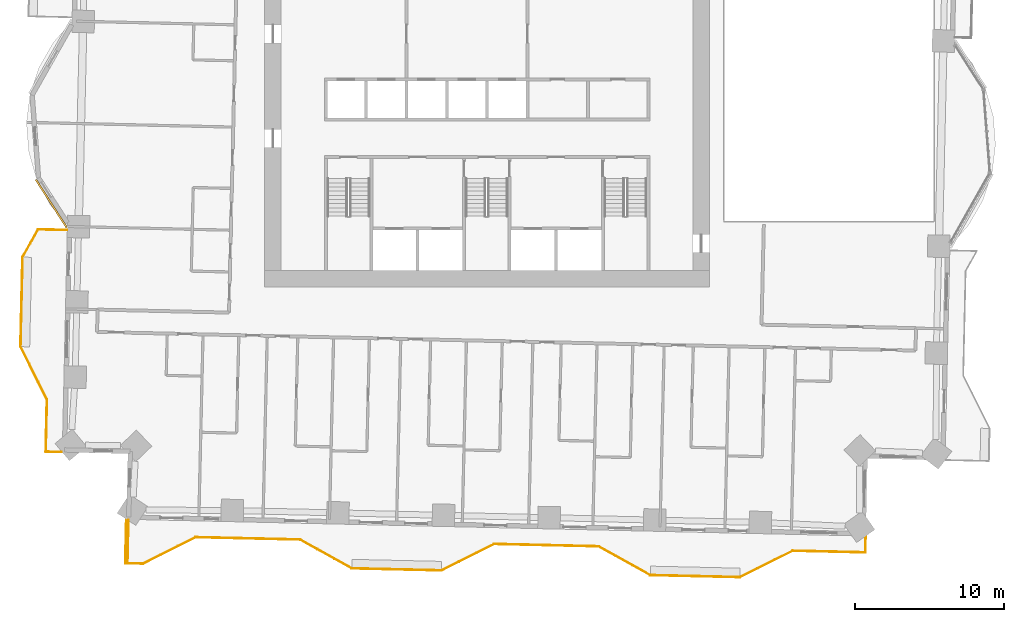
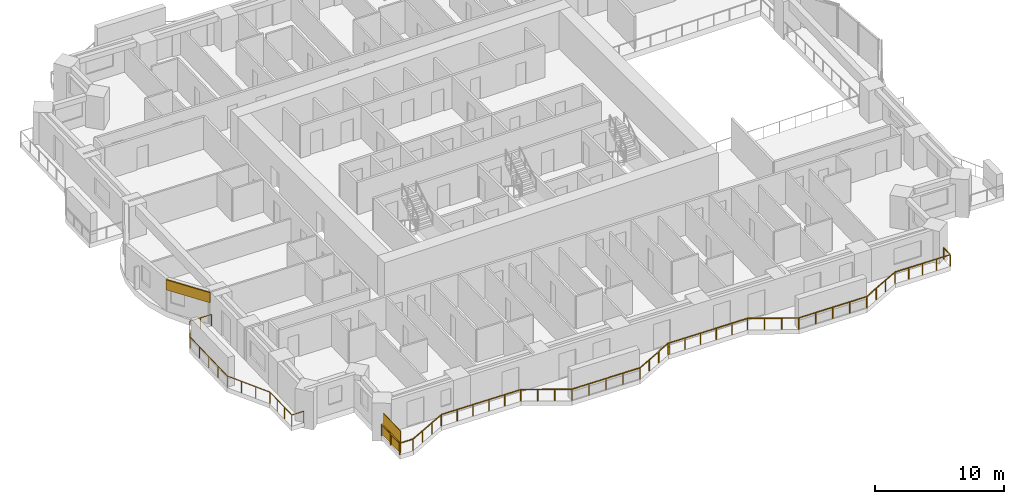
# One storey, part 14 of 18: 2 railings, 1 covering, 1 shading device.
"""IFC4 building model written with IfcOpenShell, lengths in metres."""

from ifc_helpers import new_model, si_unit, direction, frame, frame_2d, origin, origin_2d, place, context, subcontext, project, spatial, rectangle, extrude, material, layer, layer_set, type_object, element, save


model = new_model("IFC4")

# Units and contexts
model_context = context("Model", 3, precision=1e-05, world=origin(), true_north=direction((0.0, 1.0)))
body_context = subcontext(model_context, "Body", "Model", "MODEL_VIEW")
ifc_project = project(units=[si_unit("LENGTHUNIT", "METRE"), si_unit("AREAUNIT", "SQUARE_METRE"), si_unit("VOLUMEUNIT", "CUBIC_METRE"), si_unit("PLANEANGLEUNIT", "RADIAN"), si_unit("MASSUNIT", "GRAM", prefix="KILO")], contexts=[model_context])

# Site, building, storey
site_placement = place(None, origin())
site = spatial("IfcSite", under=ifc_project, at=site_placement, CompositionType="ELEMENT")
building_placement = place(site_placement, origin())
building = spatial("IfcBuilding", under=site, at=building_placement, Name="Mangrove Gate Tower", CompositionType="ELEMENT")
storey_placement = place(building_placement, frame((0.0, 0.0, 56.699951171875)))
storey = spatial("IfcBuildingStorey", under=building, at=storey_placement, Name="L13", CompositionType="ELEMENT", Elevation=56.699951171875)

# Railings
ifc_material_1 = material(Name="Stainless steel grade 316 with laminated glass infill", Category="steel")
railing_type = type_object("IfcRailingType", Name="Balcony guard 1100", PredefinedType="GUARDRAIL", material=ifc_material_1)
railing_1_placement = place(storey_placement, frame((-28.162109375, -8.10205078125, 0.0)))
element("IfcRailing", 1, at=railing_1_placement, inside=storey, type_object=railing_type, Name="GUARD L13 W2", PredefinedType="GUARDRAIL", context=body_context, shape_type="SweptSolid", body=[
    extrude(rectangle(XDim=0.048095703125, YDim=0.048095703125, at=origin_2d()), frame((0.0, 0.0, 1.076171875), z_axis=(-0.999737880615, 0.022894760625, 0.0), x_axis=(-0.022894760625, -0.999737880615, 0.0)), (0.0, 0.0, 1.0), 1.91943359375),
    extrude(rectangle(XDim=0.048095703125, YDim=0.048095703125, at=origin_2d()), frame((-1.9189453125, 0.0439453125, 1.076171875), z_axis=(-0.487147690962, -0.873319601973, 0.0), x_axis=(0.873319601973, -0.487147690962, 0.0)), (0.0, 0.0, 1.0), 2.120361328125),
    extrude(rectangle(XDim=0.048095703125, YDim=0.048095703125, at=origin_2d()), frame((-2.951904296875, -1.807861328125, 1.076171875), z_axis=(-0.022665943652, -0.999743094499, 0.0), x_axis=(0.999743094499, -0.022665943652, 0.0)), (0.0, 0.0, 1.0), 5.99951171875),
    extrude(rectangle(XDim=0.048095703125, YDim=0.048095703125, at=origin_2d()), frame((-3.087890625, -7.805908203125, 1.076171875), z_axis=(0.447016280881, -0.894525821107, 0.0), x_axis=(0.894525821107, 0.447016280881, 0.0)), (0.0, 0.0, 1.0), 3.959716796875),
    extrude(rectangle(XDim=0.048095703125, YDim=0.048095703125, at=origin_2d()), frame((-1.31787109375, -11.347900390625, 1.076171875), z_axis=(-0.022600979566, -0.999744565238, 0.0), x_axis=(0.999744565238, -0.022600979566, 0.0)), (0.0, 0.0, 1.0), 3.5),
    extrude(rectangle(XDim=0.048095703125, YDim=0.048095703125, at=origin_2d()), frame((-1.39697265625, -14.846923828125, 1.076171875), z_axis=(0.999744919731, -0.022585293253, 0.0), x_axis=(0.022585293253, 0.999744919731, 0.0)), (0.0, 0.0, 1.0), 1.059326171875),
    extrude(rectangle(XDim=0.0419921875, YDim=0.0419921875, at=origin_2d()), origin(), (0.0, 0.0, 1.0), 1.052001953125),
    extrude(rectangle(XDim=0.0419921875, YDim=0.0419921875, at=origin_2d()), frame((-0.95947265625, 0.02197265625, 0.0)), (0.0, 0.0, 1.0), 1.052001953125),
    extrude(rectangle(XDim=0.0419921875, YDim=0.0419921875, at=origin_2d()), frame((-1.9189453125, 0.0439453125, 0.0)), (0.0, 0.0, 1.0), 1.052001953125),
    extrude(rectangle(XDim=0.0419921875, YDim=0.0419921875, at=origin_2d()), frame((-2.435546875, -0.8818359375, 0.0)), (0.0, 0.0, 1.0), 1.052001953125),
    extrude(rectangle(XDim=0.0419921875, YDim=0.0419921875, at=origin_2d()), frame((-2.951904296875, -1.807861328125, 0.0)), (0.0, 0.0, 1.0), 1.052001953125),
    extrude(rectangle(XDim=0.0419921875, YDim=0.0419921875, at=origin_2d()), frame((-2.98583984375, -3.307373046875, 0.0)), (0.0, 0.0, 1.0), 1.052001953125),
    extrude(rectangle(XDim=0.0419921875, YDim=0.0419921875, at=origin_2d()), frame((-3.02001953125, -4.806884765625, 0.0)), (0.0, 0.0, 1.0), 1.052001953125),
    extrude(rectangle(XDim=0.0419921875, YDim=0.0419921875, at=origin_2d()), frame((-3.053955078125, -6.306396484375, 0.0)), (0.0, 0.0, 1.0), 1.052001953125),
    extrude(rectangle(XDim=0.0419921875, YDim=0.0419921875, at=origin_2d()), frame((-3.087890625, -7.805908203125, 0.0)), (0.0, 0.0, 1.0), 1.052001953125),
    extrude(rectangle(XDim=0.0419921875, YDim=0.0419921875, at=origin_2d()), frame((-2.497802734375, -8.986572265625, 0.0)), (0.0, 0.0, 1.0), 1.052001953125),
    extrude(rectangle(XDim=0.0419921875, YDim=0.0419921875, at=origin_2d()), frame((-1.907958984375, -10.167236328125, 0.0)), (0.0, 0.0, 1.0), 1.052001953125),
    extrude(rectangle(XDim=0.0419921875, YDim=0.0419921875, at=origin_2d()), frame((-1.31787109375, -11.347900390625, 0.0)), (0.0, 0.0, 1.0), 1.052001953125),
    extrude(rectangle(XDim=0.0419921875, YDim=0.0419921875, at=origin_2d()), frame((-1.34423828125, -12.51416015625, 0.0)), (0.0, 0.0, 1.0), 1.052001953125),
    extrude(rectangle(XDim=0.0419921875, YDim=0.0419921875, at=origin_2d()), frame((-1.37060546875, -13.6806640625, 0.0)), (0.0, 0.0, 1.0), 1.052001953125),
    extrude(rectangle(XDim=0.0419921875, YDim=0.0419921875, at=origin_2d()), frame((-1.39697265625, -14.846923828125, 0.0)), (0.0, 0.0, 1.0), 1.052001953125),
    extrude(rectangle(XDim=0.0419921875, YDim=0.0419921875, at=origin_2d()), frame((-0.337890625, -14.870849609375, 0.0)), (0.0, 0.0, 1.0), 1.052001953125),
])
railing_2_placement = place(storey_placement, frame((-24.160888671875, -27.511962890625, 0.0)))
element("IfcRailing", 2, at=railing_2_placement, inside=storey, type_object=railing_type, Name="GUARD L13 S1", PredefinedType="GUARDRAIL", context=body_context, shape_type="SweptSolid", body=[
    extrude(rectangle(XDim=0.048095703125, YDim=0.048095703125, at=origin_2d()), frame((0.0, 0.0, 1.076171875), z_axis=(-0.022738559105, -0.99974144554, 0.0), x_axis=(0.99974144554, -0.022738559105, 0.0)), (0.0, 0.0, 1.0), 2.90966796875),
    extrude(rectangle(XDim=0.048095703125, YDim=0.048095703125, at=origin_2d()), frame((-0.066162109375, -2.908935546875, 1.076171875), z_axis=(0.999730483991, -0.023215498687, 0.0), x_axis=(0.023215498687, 0.999730483991, 0.0)), (0.0, 0.0, 1.0), 1.167236328125),
    extrude(rectangle(XDim=0.048095703125, YDim=0.048095703125, at=origin_2d()), frame((1.100830078125, -2.93603515625, 1.076171875), z_axis=(0.894476522376, 0.447114919141, 0.0), x_axis=(-0.447114919141, 0.894476522376, 0.0)), (0.0, 0.0, 1.0), 3.958740234375),
    extrude(rectangle(XDim=0.048095703125, YDim=0.048095703125, at=origin_2d()), frame((4.641845703125, -1.166015625, 1.076171875), z_axis=(0.999742267452, -0.022702393474, 0.0), x_axis=(0.022702393474, 0.999742267452, 0.0)), (0.0, 0.0, 1.0), 7.000732421875),
    extrude(rectangle(XDim=0.048095703125, YDim=0.048095703125, at=origin_2d()), frame((11.640869140625, -1.324951171875, 1.076171875), z_axis=(0.873230657876, -0.487307108654, 0.0), x_axis=(0.487307108654, 0.873230657876, 0.0)), (0.0, 0.0, 1.0), 3.958984375),
    extrude(rectangle(XDim=0.048095703125, YDim=0.048095703125, at=origin_2d()), frame((15.097900390625, -3.254150390625, 1.076171875), z_axis=(0.999743094499, -0.022665943652, 0.0), x_axis=(0.022665943652, 0.999743094499, 0.0)), (0.0, 0.0, 1.0), 5.99951171875),
    extrude(rectangle(XDim=0.048095703125, YDim=0.048095703125, at=origin_2d()), frame((21.095947265625, -3.39013671875, 1.076171875), z_axis=(0.894476522376, 0.447114919141, 0.0), x_axis=(-0.447114919141, 0.894476522376, 0.0)), (0.0, 0.0, 1.0), 3.958740234375),
    extrude(rectangle(XDim=0.048095703125, YDim=0.048095703125, at=origin_2d()), frame((24.636962890625, -1.6201171875, 1.076171875), z_axis=(0.999808759986, -0.019556161565, 0.0), x_axis=(0.019556161565, 0.999808759986, 0.0)), (0.0, 0.0, 1.0), 0.099853515625),
    extrude(rectangle(XDim=0.048095703125, YDim=0.048095703125, at=origin_2d()), frame((24.73681640625, -1.6220703125, 1.076171875), z_axis=(0.999744440732, -0.022606486345, 0.0), x_axis=(0.022606486345, 0.999744440732, 0.0)), (0.0, 0.0, 1.0), 6.90087890625),
    extrude(rectangle(XDim=0.048095703125, YDim=0.048095703125, at=origin_2d()), frame((31.635986328125, -1.778076171875, 1.076171875), z_axis=(0.873242256246, -0.487286324359, 0.0), x_axis=(0.487286324359, 0.873242256246, 0.0)), (0.0, 0.0, 1.0), 3.95849609375),
    extrude(rectangle(XDim=0.048095703125, YDim=0.048095703125, at=origin_2d()), frame((35.0927734375, -3.70703125, 1.076171875), z_axis=(0.999743094499, -0.022665943652, 0.0), x_axis=(0.022665943652, 0.999743094499, 0.0)), (0.0, 0.0, 1.0), 5.99951171875),
    extrude(rectangle(XDim=0.048095703125, YDim=0.048095703125, at=origin_2d()), frame((41.0908203125, -3.843017578125, 1.076171875), z_axis=(0.894476522376, 0.447114919141, 0.0), x_axis=(-0.447114919141, 0.894476522376, 0.0)), (0.0, 0.0, 1.0), 3.958740234375),
    extrude(rectangle(XDim=0.048095703125, YDim=0.048095703125, at=origin_2d()), frame((44.6318359375, -2.072998046875, 1.076171875), z_axis=(0.99973963016, -0.022818235853, 0.0), x_axis=(0.022818235853, 0.99973963016, 0.0)), (0.0, 0.0, 1.0), 4.8681640625),
    extrude(rectangle(XDim=0.048095703125, YDim=0.048095703125, at=origin_2d()), frame((49.498779296875, -2.18408203125, 1.076171875), z_axis=(0.022794628443, 0.999740168701, 0.0), x_axis=(-0.999740168701, 0.022794628443, 0.0)), (0.0, 0.0, 1.0), 1.060302734375),
    extrude(rectangle(XDim=0.0419921875, YDim=0.0419921875, at=origin_2d()), origin(), (0.0, 0.0, 1.0), 1.052001953125),
    extrude(rectangle(XDim=0.0419921875, YDim=0.0419921875, at=origin_2d()), frame((-0.033203125, -1.45458984375, 0.0)), (0.0, 0.0, 1.0), 1.052001953125),
    extrude(rectangle(XDim=0.0419921875, YDim=0.0419921875, at=origin_2d()), frame((-0.066162109375, -2.908935546875, 0.0)), (0.0, 0.0, 1.0), 1.052001953125),
    extrude(rectangle(XDim=0.0419921875, YDim=0.0419921875, at=origin_2d()), frame((1.100830078125, -2.93603515625, 0.0)), (0.0, 0.0, 1.0), 1.052001953125),
    extrude(rectangle(XDim=0.0419921875, YDim=0.0419921875, at=origin_2d()), frame((2.28125, -2.345947265625, 0.0)), (0.0, 0.0, 1.0), 1.052001953125),
    extrude(rectangle(XDim=0.0419921875, YDim=0.0419921875, at=origin_2d()), frame((3.46142578125, -1.756103515625, 0.0)), (0.0, 0.0, 1.0), 1.052001953125),
    extrude(rectangle(XDim=0.0419921875, YDim=0.0419921875, at=origin_2d()), frame((4.641845703125, -1.166015625, 0.0)), (0.0, 0.0, 1.0), 1.052001953125),
    extrude(rectangle(XDim=0.0419921875, YDim=0.0419921875, at=origin_2d()), frame((6.041748046875, -1.19775390625, 0.0)), (0.0, 0.0, 1.0), 1.052001953125),
    extrude(rectangle(XDim=0.0419921875, YDim=0.0419921875, at=origin_2d()), frame((7.44140625, -1.2294921875, 0.0)), (0.0, 0.0, 1.0), 1.052001953125),
    extrude(rectangle(XDim=0.0419921875, YDim=0.0419921875, at=origin_2d()), frame((8.84130859375, -1.261474609375, 0.0)), (0.0, 0.0, 1.0), 1.052001953125),
    extrude(rectangle(XDim=0.0419921875, YDim=0.0419921875, at=origin_2d()), frame((10.240966796875, -1.293212890625, 0.0)), (0.0, 0.0, 1.0), 1.052001953125),
    extrude(rectangle(XDim=0.0419921875, YDim=0.0419921875, at=origin_2d()), frame((11.640869140625, -1.324951171875, 0.0)), (0.0, 0.0, 1.0), 1.052001953125),
    extrude(rectangle(XDim=0.0419921875, YDim=0.0419921875, at=origin_2d()), frame((12.793212890625, -1.968017578125, 0.0)), (0.0, 0.0, 1.0), 1.052001953125),
    extrude(rectangle(XDim=0.0419921875, YDim=0.0419921875, at=origin_2d()), frame((13.945556640625, -2.611083984375, 0.0)), (0.0, 0.0, 1.0), 1.052001953125),
    extrude(rectangle(XDim=0.0419921875, YDim=0.0419921875, at=origin_2d()), frame((15.097900390625, -3.254150390625, 0.0)), (0.0, 0.0, 1.0), 1.052001953125),
    extrude(rectangle(XDim=0.0419921875, YDim=0.0419921875, at=origin_2d()), frame((16.597412109375, -3.2880859375, 0.0)), (0.0, 0.0, 1.0), 1.052001953125),
    extrude(rectangle(XDim=0.0419921875, YDim=0.0419921875, at=origin_2d()), frame((18.096923828125, -3.322265625, 0.0)), (0.0, 0.0, 1.0), 1.052001953125),
    extrude(rectangle(XDim=0.0419921875, YDim=0.0419921875, at=origin_2d()), frame((19.596435546875, -3.356201171875, 0.0)), (0.0, 0.0, 1.0), 1.052001953125),
    extrude(rectangle(XDim=0.0419921875, YDim=0.0419921875, at=origin_2d()), frame((21.095947265625, -3.39013671875, 0.0)), (0.0, 0.0, 1.0), 1.052001953125),
    extrude(rectangle(XDim=0.0419921875, YDim=0.0419921875, at=origin_2d()), frame((22.2763671875, -2.800048828125, 0.0)), (0.0, 0.0, 1.0), 1.052001953125),
    extrude(rectangle(XDim=0.0419921875, YDim=0.0419921875, at=origin_2d()), frame((23.45654296875, -2.210205078125, 0.0)), (0.0, 0.0, 1.0), 1.052001953125),
    extrude(rectangle(XDim=0.0419921875, YDim=0.0419921875, at=origin_2d()), frame((24.636962890625, -1.6201171875, 0.0)), (0.0, 0.0, 1.0), 1.052001953125),
    extrude(rectangle(XDim=0.0419921875, YDim=0.0419921875, at=origin_2d()), frame((24.73681640625, -1.6220703125, 0.0)), (0.0, 0.0, 1.0), 1.052001953125),
    extrude(rectangle(XDim=0.0419921875, YDim=0.0419921875, at=origin_2d()), frame((26.11669921875, -1.6533203125, 0.0)), (0.0, 0.0, 1.0), 1.052001953125),
    extrude(rectangle(XDim=0.0419921875, YDim=0.0419921875, at=origin_2d()), frame((27.49658203125, -1.6845703125, 0.0)), (0.0, 0.0, 1.0), 1.052001953125),
    extrude(rectangle(XDim=0.0419921875, YDim=0.0419921875, at=origin_2d()), frame((28.876220703125, -1.715576171875, 0.0)), (0.0, 0.0, 1.0), 1.052001953125),
    extrude(rectangle(XDim=0.0419921875, YDim=0.0419921875, at=origin_2d()), frame((30.256103515625, -1.746826171875, 0.0)), (0.0, 0.0, 1.0), 1.052001953125),
    extrude(rectangle(XDim=0.0419921875, YDim=0.0419921875, at=origin_2d()), frame((31.635986328125, -1.778076171875, 0.0)), (0.0, 0.0, 1.0), 1.052001953125),
    extrude(rectangle(XDim=0.0419921875, YDim=0.0419921875, at=origin_2d()), frame((32.788330078125, -2.421142578125, 0.0)), (0.0, 0.0, 1.0), 1.052001953125),
    extrude(rectangle(XDim=0.0419921875, YDim=0.0419921875, at=origin_2d()), frame((33.9404296875, -3.06396484375, 0.0)), (0.0, 0.0, 1.0), 1.052001953125),
    extrude(rectangle(XDim=0.0419921875, YDim=0.0419921875, at=origin_2d()), frame((35.0927734375, -3.70703125, 0.0)), (0.0, 0.0, 1.0), 1.052001953125),
    extrude(rectangle(XDim=0.0419921875, YDim=0.0419921875, at=origin_2d()), frame((36.59228515625, -3.740966796875, 0.0)), (0.0, 0.0, 1.0), 1.052001953125),
    extrude(rectangle(XDim=0.0419921875, YDim=0.0419921875, at=origin_2d()), frame((38.091796875, -3.77490234375, 0.0)), (0.0, 0.0, 1.0), 1.052001953125),
    extrude(rectangle(XDim=0.0419921875, YDim=0.0419921875, at=origin_2d()), frame((39.59130859375, -3.80908203125, 0.0)), (0.0, 0.0, 1.0), 1.052001953125),
    extrude(rectangle(XDim=0.0419921875, YDim=0.0419921875, at=origin_2d()), frame((41.0908203125, -3.843017578125, 0.0)), (0.0, 0.0, 1.0), 1.052001953125),
    extrude(rectangle(XDim=0.0419921875, YDim=0.0419921875, at=origin_2d()), frame((42.271240234375, -3.2529296875, 0.0)), (0.0, 0.0, 1.0), 1.052001953125),
    extrude(rectangle(XDim=0.0419921875, YDim=0.0419921875, at=origin_2d()), frame((43.451416015625, -2.6630859375, 0.0)), (0.0, 0.0, 1.0), 1.052001953125),
    extrude(rectangle(XDim=0.0419921875, YDim=0.0419921875, at=origin_2d()), frame((44.6318359375, -2.072998046875, 0.0)), (0.0, 0.0, 1.0), 1.052001953125),
    extrude(rectangle(XDim=0.0419921875, YDim=0.0419921875, at=origin_2d()), frame((45.8486328125, -2.100830078125, 0.0)), (0.0, 0.0, 1.0), 1.052001953125),
    extrude(rectangle(XDim=0.0419921875, YDim=0.0419921875, at=origin_2d()), frame((47.0654296875, -2.12841796875, 0.0)), (0.0, 0.0, 1.0), 1.052001953125),
    extrude(rectangle(XDim=0.0419921875, YDim=0.0419921875, at=origin_2d()), frame((48.281982421875, -2.15625, 0.0)), (0.0, 0.0, 1.0), 1.052001953125),
    extrude(rectangle(XDim=0.0419921875, YDim=0.0419921875, at=origin_2d()), frame((49.498779296875, -2.18408203125, 0.0)), (0.0, 0.0, 1.0), 1.052001953125),
    extrude(rectangle(XDim=0.0419921875, YDim=0.0419921875, at=origin_2d()), frame((49.52294921875, -1.1240234375, 0.0)), (0.0, 0.0, 1.0), 1.052001953125),
])

# Shading device
ifc_material_2 = material(Name="Timber slat screen in teak", Category="wood")
shading_device_type = type_object("IfcShadingDeviceType", Name="Balcony screen 2100", PredefinedType="USERDEFINED", material=ifc_material_2)
shading_device_placement = place(storey_placement, frame((-24.052001953125, -28.889892578125, 0.0), z_axis=(0.0, 0.0, 1.0), x_axis=(-0.022739679942, -0.999741420046, 0.0)))
element("IfcShadingDevice", 3, at=shading_device_placement, inside=storey, type_object=shading_device_type, Name="SCREEN L13 S0", ObjectType="SCREEN", PredefinedType="USERDEFINED", context=body_context, shape_type="SweptSolid", body=[
    extrude(rectangle(XDim=2.7900390625, YDim=0.050048828125, at=origin_2d()), origin(), (0.0, 0.0, 1.0), 2.10009765625),
])

# Covering
ifc_material_3 = material(Name="Limestone", Category="masonry")
ifc_layer_1 = layer(ifc_material_3, 0.0400390625, Name="Limestone cladding")
ifc_material_4 = material(Name="Stainless steel anchors and cavity", Category="steel")
ifc_layer_2 = layer(ifc_material_4, 0.080078125, Name="Fixing cavity")
ifc_layer_set = layer_set([ifc_layer_1, ifc_layer_2], Name="Joint fascia cladding 120")
covering_type = type_object("IfcCoveringType", Name="Joint fascia cladding 120", PredefinedType="CLADDING", material=ifc_layer_set)
covering_placement = place(storey_placement, frame((-30.22607421875, -4.718994140625, 2.10009765625), z_axis=(0.0, 0.0, 1.0), x_axis=(0.540486138148, -0.841352919095, 0.0)))
element("IfcCovering", 4, at=covering_placement, inside=storey, type_object=covering_type, Name="STONE FASCIA L13 W9.L2", PredefinedType="CLADDING", context=body_context, shape_type="SweptSolid", body=[
    extrude(rectangle(XDim=3.818603515625, YDim=0.1201171875, at=frame_2d((1.9091796875, 0.0))), origin(), (0.0, 0.0, 1.0), 0.949951171875),
])

save(model, "model.ifc")
